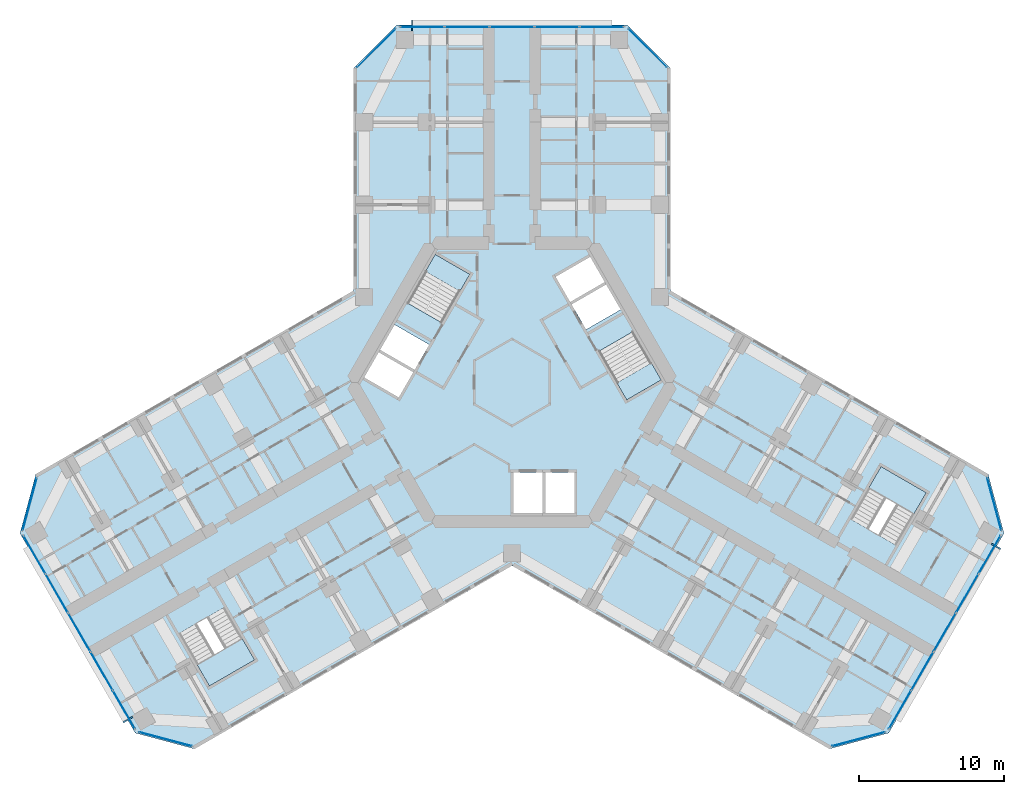
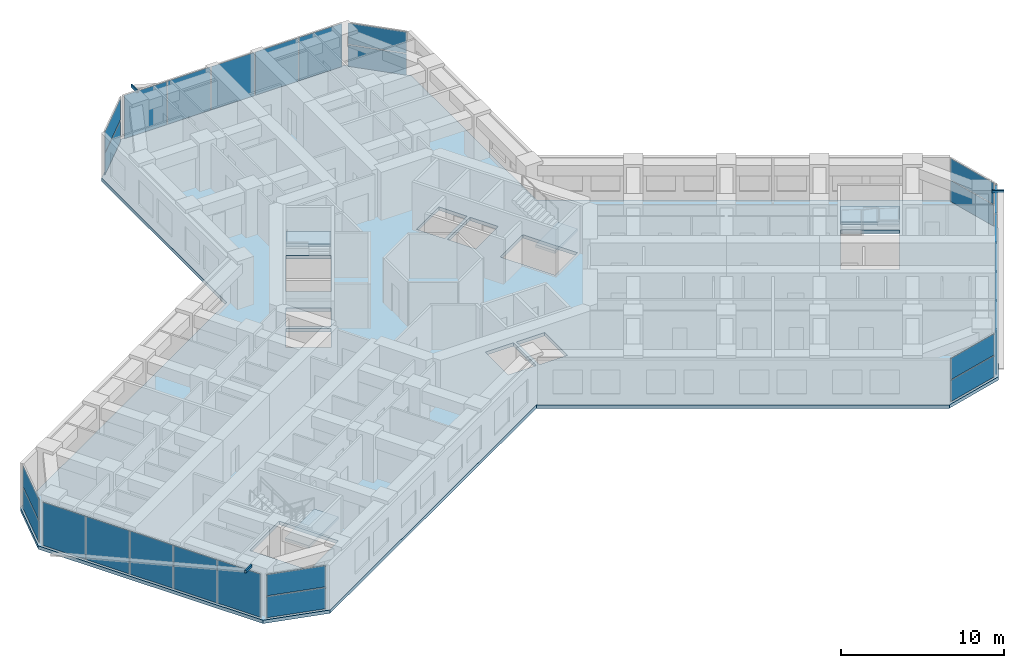
# One storey, part 9 of 20: 27 plates, 5 slabs, 3 members, 13 elements without a shape of their own.
"""IFC4 building model written with IfcOpenShell, lengths in metres."""

from ifc_helpers import new_model, si_unit, direction, frame, origin, origin_2d, place, context, subcontext, project, spatial, polyline, rectangle, hollow_rectangle, outline, extrude, material, layer, layer_set, material_profile, profile_set, type_object, element, aggregate, save


model = new_model("IFC4")

# Units and contexts
model_context = context("Model", 3, precision=1e-05, world=origin(), true_north=direction((0.0, 1.0)))
body_context = subcontext(model_context, "Body", "Model", "MODEL_VIEW")
ifc_project = project(units=[si_unit("LENGTHUNIT", "METRE"), si_unit("AREAUNIT", "SQUARE_METRE"), si_unit("VOLUMEUNIT", "CUBIC_METRE"), si_unit("PLANEANGLEUNIT", "RADIAN"), si_unit("MASSUNIT", "GRAM", prefix="KILO")], contexts=[model_context])

# Site, building, storey
site_placement = place(None, origin())
site = spatial("IfcSite", under=ifc_project, at=site_placement, CompositionType="ELEMENT")
building_placement = place(site_placement, origin())
building = spatial("IfcBuilding", under=site, at=building_placement, Name="Kosmar Iwan School Tower", CompositionType="ELEMENT")
storey_placement = place(building_placement, frame((0.0, 0.0, 123.800048828125)))
storey = spatial("IfcBuildingStorey", under=building, at=storey_placement, Name="L30", CompositionType="ELEMENT", Elevation=123.800048828125)

# Members
ifc_material_1 = material(Name="Steel S355", Category="steel")
ifc_material_profile = material_profile(ifc_material_1, hollow_rectangle(XDim=0.10009765625, YDim=0.199951171875, WallThickness=0.008056640625, at=origin_2d()), Name="RHS 200x100x8")
ifc_profile_set = profile_set([ifc_material_profile], Name="Steel S355")
member_type = type_object("IfcMemberType", Name="Fin bracket RHS 200x100", PredefinedType="USERDEFINED", material=ifc_profile_set)
for number, where, z_axis, x_axis, name in (
    (1, (33.067138671875, -11.1259765625, 3.474853515625), (0.866071776036, -0.499919672301, 0.0), (0.499919672301, 0.866071776036, 0.0), "Fin bracket L31"),
    (2, (-6.898193359375, 24.25, 3.474853515625), (0.0, 1.0, 0.0), (-1.0, 0.0, 0.0), "Fin bracket L31"),
    (3, (-26.1689453125, -23.073974609375, 3.474853515625), (-0.86599040064, -0.500060622324, 0.0), (0.500060622324, -0.86599040064, 0.0), "Fin bracket L31"),
):
    element("IfcMember", number, at=place(storey_placement, frame(where, z_axis=z_axis, x_axis=x_axis)), inside=storey, type_object=member_type, Name=name, ObjectType="FIN BRACKET", PredefinedType="USERDEFINED", context=body_context, shape_type="SweptSolid", body=[
        extrude(hollow_rectangle(XDim=0.10009765625, YDim=0.199951171875, WallThickness=0.008056640625, at=origin_2d()), origin(), (0.0, 0.0, 1.0), 0.75),
    ])

# Curtain wall, plates
ifc_material_2 = material(Name="Dark glass in black aluminium frame", Category="aluminium")
curtain_wall_type_1 = type_object("IfcCurtainWallType", Name="Chamfer curtain wall dark glass", PredefinedType="USERDEFINED", material=ifc_material_2)
curtain_wall_1_placement = place(storey_placement, origin())
curtain_wall_1 = element("IfcCurtainWall", 4, at=curtain_wall_1_placement, inside=storey, type_object=curtain_wall_type_1, Name="Curtain wall L30-F02", ObjectType="FACETED CURTAIN WALL", PredefinedType="USERDEFINED")
ifc_material_3 = material(Name="Dark glass", Category="glass")
ifc_layer_1 = layer(ifc_material_3, 0.028076171875)
ifc_layer_set_1 = layer_set([ifc_layer_1], Name="Dark glass panel 28")
plate_type = type_object("IfcPlateType", Name="Dark glass panel 28", PredefinedType="CURTAIN_PANEL", material=ifc_layer_set_1)
plate_1_placement = place(storey_placement, frame((23.908203125, -24.61328125, 0.06005859375), z_axis=(0.0, 0.0, 1.0), x_axis=(0.965925875495, 0.258818861462, 0.0)))
plate_1 = element("IfcPlate", 5, at=plate_1_placement, type_object=plate_type, Name="CW2 panel 1.1", PredefinedType="CURTAIN_PANEL", context=body_context, shape_type="SweptSolid", body=[
    extrude(rectangle(XDim=3.718994140625, YDim=0.028076171875, at=origin_2d()), origin(), (0.0, 0.0, 1.0), 1.5849609375),
])
plate_2_placement = place(storey_placement, frame((23.908203125, -24.61328125, 1.705078125), z_axis=(0.0, 0.0, 1.0), x_axis=(0.965925875495, 0.258818861462, 0.0)))
plate_2 = element("IfcPlate", 6, at=plate_2_placement, type_object=plate_type, Name="CW2 panel 1.2", PredefinedType="CURTAIN_PANEL", context=body_context, shape_type="SweptSolid", body=[
    extrude(rectangle(XDim=3.718994140625, YDim=0.028076171875, at=origin_2d()), origin(), (0.0, 0.0, 1.0), 1.5849609375),
])
aggregate(curtain_wall_1, [plate_1, plate_2])

ifc_material_4 = material(Name="Dark glass in black aluminium frame", Category="aluminium")
curtain_wall_type_2 = type_object("IfcCurtainWallType", Name="Tower curtain wall dark glass", PredefinedType="USERDEFINED", material=ifc_material_4)
curtain_wall_2_placement = place(storey_placement, origin())
curtain_wall_2 = element("IfcCurtainWall", 7, at=curtain_wall_2_placement, inside=storey, type_object=curtain_wall_type_2, Name="Curtain wall L30-F03", ObjectType="UNITISED CURTAIN WALL", PredefinedType="USERDEFINED")
plate_3_placement = place(storey_placement, frame((26.764404296875, -22.592529296875, 0.06005859375), z_axis=(0.0, 0.0, 1.0), x_axis=(0.499999997325, 0.866025405329, 0.0)))
plate_3 = element("IfcPlate", 8, at=plate_3_placement, type_object=plate_type, Name="CW1 panel 1.1", PredefinedType="CURTAIN_PANEL", context=body_context, shape_type="SweptSolid", body=[
    extrude(rectangle(XDim=3.00927734375, YDim=0.028076171875, at=origin_2d()), origin(), (0.0, 0.0, 1.0), 3.22998046875),
])
plate_4_placement = place(storey_placement, frame((28.306640625, -19.921630859375, 0.06005859375), z_axis=(0.0, 0.0, 1.0), x_axis=(0.499999997325, 0.866025405329, 0.0)))
plate_4 = element("IfcPlate", 9, at=plate_4_placement, type_object=plate_type, Name="CW1 panel 2.1", PredefinedType="CURTAIN_PANEL", context=body_context, shape_type="SweptSolid", body=[
    extrude(rectangle(XDim=3.039306640625, YDim=0.028076171875, at=origin_2d()), origin(), (0.0, 0.0, 1.0), 3.22998046875),
])
plate_5_placement = place(storey_placement, frame((29.856201171875, -17.237548828125, 0.06005859375), z_axis=(0.0, 0.0, 1.0), x_axis=(0.499999997325, 0.866025405329, 0.0)))
plate_5 = element("IfcPlate", 10, at=plate_5_placement, type_object=plate_type, Name="CW1 panel 3.1", PredefinedType="CURTAIN_PANEL", context=body_context, shape_type="SweptSolid", body=[
    extrude(rectangle(XDim=3.039306640625, YDim=0.028076171875, at=origin_2d()), origin(), (0.0, 0.0, 1.0), 3.22998046875),
])
plate_6_placement = place(storey_placement, frame((31.40576171875, -14.553466796875, 0.06005859375), z_axis=(0.0, 0.0, 1.0), x_axis=(0.499999997325, 0.866025405329, 0.0)))
plate_6 = element("IfcPlate", 11, at=plate_6_placement, type_object=plate_type, Name="CW1 panel 4.1", PredefinedType="CURTAIN_PANEL", context=body_context, shape_type="SweptSolid", body=[
    extrude(rectangle(XDim=3.039306640625, YDim=0.028076171875, at=origin_2d()), origin(), (0.0, 0.0, 1.0), 3.22998046875),
])
plate_7_placement = place(storey_placement, frame((32.947998046875, -11.88232421875, 0.06005859375), z_axis=(0.0, 0.0, 1.0), x_axis=(0.499999997325, 0.866025405329, 0.0)))
plate_7 = element("IfcPlate", 12, at=plate_7_placement, type_object=plate_type, Name="CW1 panel 5.1", PredefinedType="CURTAIN_PANEL", context=body_context, shape_type="SweptSolid", body=[
    extrude(rectangle(XDim=3.00927734375, YDim=0.028076171875, at=origin_2d()), origin(), (0.0, 0.0, 1.0), 3.22998046875),
])
aggregate(curtain_wall_2, [plate_3, plate_4, plate_5, plate_6, plate_7])

curtain_wall_3_placement = place(storey_placement, origin())
curtain_wall_3 = element("IfcCurtainWall", 13, at=curtain_wall_3_placement, inside=storey, type_object=curtain_wall_type_1, Name="Curtain wall L30-F04", ObjectType="FACETED CURTAIN WALL", PredefinedType="USERDEFINED")
plate_8_placement = place(storey_placement, frame((33.269775390625, -8.3984375, 0.06005859375), z_axis=(0.0, 0.0, 1.0), x_axis=(-0.258818861462, 0.965925875495, 0.0)))
plate_8 = element("IfcPlate", 14, at=plate_8_placement, type_object=plate_type, Name="CW2 panel 1.1", PredefinedType="CURTAIN_PANEL", context=body_context, shape_type="SweptSolid", body=[
    extrude(rectangle(XDim=3.718994140625, YDim=0.028076171875, at=origin_2d()), origin(), (0.0, 0.0, 1.0), 1.5849609375),
])
plate_9_placement = place(storey_placement, frame((33.269775390625, -8.3984375, 1.705078125), z_axis=(0.0, 0.0, 1.0), x_axis=(-0.258818861462, 0.965925875495, 0.0)))
plate_9 = element("IfcPlate", 15, at=plate_9_placement, type_object=plate_type, Name="CW2 panel 1.2", PredefinedType="CURTAIN_PANEL", context=body_context, shape_type="SweptSolid", body=[
    extrude(rectangle(XDim=3.718994140625, YDim=0.028076171875, at=origin_2d()), origin(), (0.0, 0.0, 1.0), 1.5849609375),
])
aggregate(curtain_wall_3, [plate_8, plate_9])

curtain_wall_4_placement = place(storey_placement, origin())
curtain_wall_4 = element("IfcCurtainWall", 16, at=curtain_wall_4_placement, inside=storey, type_object=curtain_wall_type_1, Name="Curtain wall L30-F07", ObjectType="FACETED CURTAIN WALL", PredefinedType="USERDEFINED")
plate_10_placement = place(storey_placement, frame((9.361572265625, 23.0615234375, 0.06005859375), z_axis=(0.0, 0.0, 1.0), x_axis=(-0.707106781187, 0.707106781187, 0.0)))
plate_10 = element("IfcPlate", 17, at=plate_10_placement, type_object=plate_type, Name="CW2 panel 1.1", PredefinedType="CURTAIN_PANEL", context=body_context, shape_type="SweptSolid", body=[
    extrude(rectangle(XDim=3.718994140625, YDim=0.028076171875, at=origin_2d()), origin(), (0.0, 0.0, 1.0), 1.5849609375),
])
plate_11_placement = place(storey_placement, frame((9.361572265625, 23.0615234375, 1.705078125), z_axis=(0.0, 0.0, 1.0), x_axis=(-0.707106781187, 0.707106781187, 0.0)))
plate_11 = element("IfcPlate", 18, at=plate_11_placement, type_object=plate_type, Name="CW2 panel 1.2", PredefinedType="CURTAIN_PANEL", context=body_context, shape_type="SweptSolid", body=[
    extrude(rectangle(XDim=3.718994140625, YDim=0.028076171875, at=origin_2d()), origin(), (0.0, 0.0, 1.0), 1.5849609375),
])
aggregate(curtain_wall_4, [plate_10, plate_11])

curtain_wall_5_placement = place(storey_placement, origin())
curtain_wall_5 = element("IfcCurtainWall", 19, at=curtain_wall_5_placement, inside=storey, type_object=curtain_wall_type_2, Name="Curtain wall L30-F08", ObjectType="UNITISED CURTAIN WALL", PredefinedType="USERDEFINED")
plate_12_placement = place(storey_placement, frame((6.18359375, 24.52490234375, 0.06005859375), z_axis=(0.0, 0.0, 1.0), x_axis=(-1.0, 0.0, 0.0)))
plate_12 = element("IfcPlate", 20, at=plate_12_placement, type_object=plate_type, Name="CW1 panel 1.1", PredefinedType="CURTAIN_PANEL", context=body_context, shape_type="SweptSolid", body=[
    extrude(rectangle(XDim=3.00927734375, YDim=0.028076171875, at=origin_2d()), origin(), (0.0, 0.0, 1.0), 3.22998046875),
])
plate_13_placement = place(storey_placement, frame((3.099365234375, 24.52490234375, 0.06005859375), z_axis=(0.0, 0.0, 1.0), x_axis=(-1.0, 0.0, 0.0)))
plate_13 = element("IfcPlate", 21, at=plate_13_placement, type_object=plate_type, Name="CW1 panel 2.1", PredefinedType="CURTAIN_PANEL", context=body_context, shape_type="SweptSolid", body=[
    extrude(rectangle(XDim=3.039306640625, YDim=0.028076171875, at=origin_2d()), origin(), (0.0, 0.0, 1.0), 3.22998046875),
])
plate_14_placement = place(storey_placement, frame((0.0, 24.52490234375, 0.06005859375), z_axis=(0.0, 0.0, 1.0), x_axis=(-1.0, 0.0, 0.0)))
plate_14 = element("IfcPlate", 22, at=plate_14_placement, type_object=plate_type, Name="CW1 panel 3.1", PredefinedType="CURTAIN_PANEL", context=body_context, shape_type="SweptSolid", body=[
    extrude(rectangle(XDim=3.039306640625, YDim=0.028076171875, at=origin_2d()), origin(), (0.0, 0.0, 1.0), 3.22998046875),
])
plate_15_placement = place(storey_placement, frame((-3.099365234375, 24.52490234375, 0.06005859375), z_axis=(0.0, 0.0, 1.0), x_axis=(-1.0, 0.0, 0.0)))
plate_15 = element("IfcPlate", 23, at=plate_15_placement, type_object=plate_type, Name="CW1 panel 4.1", PredefinedType="CURTAIN_PANEL", context=body_context, shape_type="SweptSolid", body=[
    extrude(rectangle(XDim=3.039306640625, YDim=0.028076171875, at=origin_2d()), origin(), (0.0, 0.0, 1.0), 3.22998046875),
])
plate_16_placement = place(storey_placement, frame((-6.18359375, 24.52490234375, 0.06005859375), z_axis=(0.0, 0.0, 1.0), x_axis=(-1.0, 0.0, 0.0)))
plate_16 = element("IfcPlate", 24, at=plate_16_placement, type_object=plate_type, Name="CW1 panel 5.1", PredefinedType="CURTAIN_PANEL", context=body_context, shape_type="SweptSolid", body=[
    extrude(rectangle(XDim=3.00927734375, YDim=0.028076171875, at=origin_2d()), origin(), (0.0, 0.0, 1.0), 3.22998046875),
])
aggregate(curtain_wall_5, [plate_12, plate_13, plate_14, plate_15, plate_16])

curtain_wall_6_placement = place(storey_placement, origin())
curtain_wall_6 = element("IfcCurtainWall", 25, at=curtain_wall_6_placement, inside=storey, type_object=curtain_wall_type_1, Name="Curtain wall L30-F09", ObjectType="FACETED CURTAIN WALL", PredefinedType="USERDEFINED")
plate_17_placement = place(storey_placement, frame((-9.361572265625, 23.0615234375, 0.06005859375), z_axis=(0.0, 0.0, 1.0), x_axis=(-0.707106781187, -0.707106781187, 0.0)))
plate_17 = element("IfcPlate", 26, at=plate_17_placement, type_object=plate_type, Name="CW2 panel 1.1", PredefinedType="CURTAIN_PANEL", context=body_context, shape_type="SweptSolid", body=[
    extrude(rectangle(XDim=3.718994140625, YDim=0.028076171875, at=origin_2d()), origin(), (0.0, 0.0, 1.0), 1.5849609375),
])
plate_18_placement = place(storey_placement, frame((-9.361572265625, 23.0615234375, 1.705078125), z_axis=(0.0, 0.0, 1.0), x_axis=(-0.707106781187, -0.707106781187, 0.0)))
plate_18 = element("IfcPlate", 27, at=plate_18_placement, type_object=plate_type, Name="CW2 panel 1.2", PredefinedType="CURTAIN_PANEL", context=body_context, shape_type="SweptSolid", body=[
    extrude(rectangle(XDim=3.718994140625, YDim=0.028076171875, at=origin_2d()), origin(), (0.0, 0.0, 1.0), 1.5849609375),
])
aggregate(curtain_wall_6, [plate_17, plate_18])

curtain_wall_7_placement = place(storey_placement, origin())
curtain_wall_7 = element("IfcCurtainWall", 28, at=curtain_wall_7_placement, inside=storey, type_object=curtain_wall_type_1, Name="Curtain wall L30-F12", ObjectType="FACETED CURTAIN WALL", PredefinedType="USERDEFINED")
plate_19_placement = place(storey_placement, frame((-33.269775390625, -8.3984375, 0.06005859375), z_axis=(0.0, 0.0, 1.0), x_axis=(-0.258818861462, -0.965925875495, 0.0)))
plate_19 = element("IfcPlate", 29, at=plate_19_placement, type_object=plate_type, Name="CW2 panel 1.1", PredefinedType="CURTAIN_PANEL", context=body_context, shape_type="SweptSolid", body=[
    extrude(rectangle(XDim=3.718994140625, YDim=0.028076171875, at=origin_2d()), origin(), (0.0, 0.0, 1.0), 1.5849609375),
])
plate_20_placement = place(storey_placement, frame((-33.269775390625, -8.3984375, 1.705078125), z_axis=(0.0, 0.0, 1.0), x_axis=(-0.258818861462, -0.965925875495, 0.0)))
plate_20 = element("IfcPlate", 30, at=plate_20_placement, type_object=plate_type, Name="CW2 panel 1.2", PredefinedType="CURTAIN_PANEL", context=body_context, shape_type="SweptSolid", body=[
    extrude(rectangle(XDim=3.718994140625, YDim=0.028076171875, at=origin_2d()), origin(), (0.0, 0.0, 1.0), 1.5849609375),
])
aggregate(curtain_wall_7, [plate_19, plate_20])

curtain_wall_8_placement = place(storey_placement, origin())
curtain_wall_8 = element("IfcCurtainWall", 31, at=curtain_wall_8_placement, inside=storey, type_object=curtain_wall_type_2, Name="Curtain wall L30-F13", ObjectType="UNITISED CURTAIN WALL", PredefinedType="USERDEFINED")
plate_21_placement = place(storey_placement, frame((-32.947998046875, -11.88232421875, 0.06005859375), z_axis=(0.0, 0.0, 1.0), x_axis=(0.499999997325, -0.866025405329, 0.0)))
plate_21 = element("IfcPlate", 32, at=plate_21_placement, type_object=plate_type, Name="CW1 panel 1.1", PredefinedType="CURTAIN_PANEL", context=body_context, shape_type="SweptSolid", body=[
    extrude(rectangle(XDim=3.00927734375, YDim=0.028076171875, at=origin_2d()), origin(), (0.0, 0.0, 1.0), 3.22998046875),
])
plate_22_placement = place(storey_placement, frame((-31.40576171875, -14.553466796875, 0.06005859375), z_axis=(0.0, 0.0, 1.0), x_axis=(0.499999997325, -0.866025405329, 0.0)))
plate_22 = element("IfcPlate", 33, at=plate_22_placement, type_object=plate_type, Name="CW1 panel 2.1", PredefinedType="CURTAIN_PANEL", context=body_context, shape_type="SweptSolid", body=[
    extrude(rectangle(XDim=3.039306640625, YDim=0.028076171875, at=origin_2d()), origin(), (0.0, 0.0, 1.0), 3.22998046875),
])
plate_23_placement = place(storey_placement, frame((-29.856201171875, -17.237548828125, 0.06005859375), z_axis=(0.0, 0.0, 1.0), x_axis=(0.499999997325, -0.866025405329, 0.0)))
plate_23 = element("IfcPlate", 34, at=plate_23_placement, type_object=plate_type, Name="CW1 panel 3.1", PredefinedType="CURTAIN_PANEL", context=body_context, shape_type="SweptSolid", body=[
    extrude(rectangle(XDim=3.039306640625, YDim=0.028076171875, at=origin_2d()), origin(), (0.0, 0.0, 1.0), 3.22998046875),
])
plate_24_placement = place(storey_placement, frame((-28.306640625, -19.921630859375, 0.06005859375), z_axis=(0.0, 0.0, 1.0), x_axis=(0.499999997325, -0.866025405329, 0.0)))
plate_24 = element("IfcPlate", 35, at=plate_24_placement, type_object=plate_type, Name="CW1 panel 4.1", PredefinedType="CURTAIN_PANEL", context=body_context, shape_type="SweptSolid", body=[
    extrude(rectangle(XDim=3.039306640625, YDim=0.028076171875, at=origin_2d()), origin(), (0.0, 0.0, 1.0), 3.22998046875),
])
plate_25_placement = place(storey_placement, frame((-26.764404296875, -22.592529296875, 0.06005859375), z_axis=(0.0, 0.0, 1.0), x_axis=(0.499999997325, -0.866025405329, 0.0)))
plate_25 = element("IfcPlate", 36, at=plate_25_placement, type_object=plate_type, Name="CW1 panel 5.1", PredefinedType="CURTAIN_PANEL", context=body_context, shape_type="SweptSolid", body=[
    extrude(rectangle(XDim=3.00927734375, YDim=0.028076171875, at=origin_2d()), origin(), (0.0, 0.0, 1.0), 3.22998046875),
])
aggregate(curtain_wall_8, [plate_21, plate_22, plate_23, plate_24, plate_25])

curtain_wall_9_placement = place(storey_placement, origin())
curtain_wall_9 = element("IfcCurtainWall", 37, at=curtain_wall_9_placement, inside=storey, type_object=curtain_wall_type_1, Name="Curtain wall L30-F14", ObjectType="FACETED CURTAIN WALL", PredefinedType="USERDEFINED")
plate_26_placement = place(storey_placement, frame((-23.908203125, -24.61328125, 0.06005859375), z_axis=(0.0, 0.0, 1.0), x_axis=(0.965925875495, -0.258818861462, 0.0)))
plate_26 = element("IfcPlate", 38, at=plate_26_placement, type_object=plate_type, Name="CW2 panel 1.1", PredefinedType="CURTAIN_PANEL", context=body_context, shape_type="SweptSolid", body=[
    extrude(rectangle(XDim=3.718994140625, YDim=0.028076171875, at=origin_2d()), origin(), (0.0, 0.0, 1.0), 1.5849609375),
])
plate_27_placement = place(storey_placement, frame((-23.908203125, -24.61328125, 1.705078125), z_axis=(0.0, 0.0, 1.0), x_axis=(0.965925875495, -0.258818861462, 0.0)))
plate_27 = element("IfcPlate", 39, at=plate_27_placement, type_object=plate_type, Name="CW2 panel 1.2", PredefinedType="CURTAIN_PANEL", context=body_context, shape_type="SweptSolid", body=[
    extrude(rectangle(XDim=3.718994140625, YDim=0.028076171875, at=origin_2d()), origin(), (0.0, 0.0, 1.0), 1.5849609375),
])
aggregate(curtain_wall_9, [plate_26, plate_27])

# Stair, slab
ifc_material_5 = material(Name="Concrete C35/45", Category="concrete")
stair_type_1 = type_object("IfcStairType", Name="Escape stair 3600", PredefinedType="HALF_TURN_STAIR", material=ifc_material_5)
stair_1_placement = place(storey_placement, origin())
stair_1 = element("IfcStair", 40, at=stair_1_placement, inside=storey, type_object=stair_type_1, Name="Stair WS2 L30", PredefinedType="HALF_TURN_STAIR")
ifc_material_6 = material(Name="Concrete C35/45", Category="concrete")
ifc_layer_2 = layer(ifc_material_6, 0.199951171875)
ifc_layer_set_2 = layer_set([ifc_layer_2], Name="Escape stair landing 200")
slab_type_1 = type_object("IfcSlabType", Name="Escape stair landing 200", PredefinedType="LANDING", material=ifc_layer_set_2)
slab_1_placement = place(storey_placement, frame((0.0, 0.0, 1.599853515625)))
slab_1 = element("IfcSlab", 41, at=slab_1_placement, type_object=slab_type_1, Name="WS2 landing 1", PredefinedType="LANDING", context=body_context, shape_type="SweptSolid", body=[
    extrude(outline(polyline([(-18.607421875, -17.671142578125), (-21.72509765625, -19.47119140625), (-20.875, -20.943359375), (-17.75732421875, -19.143310546875), (-18.607421875, -17.671142578125)])), origin(), (0.0, 0.0, 1.0), 0.2001953125),
])
aggregate(stair_1, [slab_1])

stair_2_placement = place(storey_placement, origin())
stair_2 = element("IfcStair", 42, at=stair_2_placement, inside=storey, type_object=stair_type_1, Name="Stair WS3 L30", PredefinedType="HALF_TURN_STAIR")
slab_2_placement = place(storey_placement, frame((0.0, 0.0, 1.599853515625)))
slab_2 = element("IfcSlab", 43, at=slab_2_placement, type_object=slab_type_1, Name="WS3 landing 1", PredefinedType="LANDING", context=body_context, shape_type="SweptSolid", body=[
    extrude(outline(polyline([(24.607421875, -7.27880859375), (27.72509765625, -9.078857421875), (28.574951171875, -7.606689453125), (25.457275390625, -5.806640625), (24.607421875, -7.27880859375)])), origin(), (0.0, 0.0, 1.0), 0.2001953125),
])
aggregate(stair_2, [slab_2])

# Slab
ifc_material_7 = material(Name="Concrete C35/45", Category="concrete")
ifc_layer_3 = layer(ifc_material_7, 0.25)
ifc_layer_set_3 = layer_set([ifc_layer_3], Name="Floor slab 250")
slab_type_2 = type_object("IfcSlabType", Name="Floor slab 250", PredefinedType="FLOOR", material=ifc_layer_set_3)
slab_3_placement = place(storey_placement, frame((0.0, 0.0, -0.25)))
element("IfcSlab", 44, at=slab_3_placement, inside=storey, type_object=slab_type_2, Name="L30 floor slab", PredefinedType="FLOOR", context=body_context, shape_type="SweptSolid", body=[
    extrude(outline(polyline([(-21.891357421875, -25.282958984375), (0.0, -12.64404296875), (21.891357421875, -25.282958984375), (25.989501953125, -24.184814453125), (33.939453125, -10.4150390625), (32.84130859375, -6.317138671875), (10.949951171875, 6.322021484375), (10.949951171875, 21.64990234375), (7.949951171875, 24.64990234375), (-7.949951171875, 24.64990234375), (-10.949951171875, 21.64990234375), (-10.949951171875, 6.322021484375), (-32.84130859375, -6.317138671875), (-33.939453125, -10.4150390625), (-25.989501953125, -24.184814453125), (-21.891357421875, -25.282958984375)]), holes=[polyline([(7.91259765625, -1.205078125), (10.294189453125, 0.169921875), (8.3642578125, 3.5126953125), (5.982666015625, 2.1376953125), (7.91259765625, -1.205078125)]), polyline([(-2.91259765625, 7.455078125), (-5.294189453125, 8.830078125), (-7.22412109375, 5.4873046875), (-4.8427734375, 4.1123046875), (-2.91259765625, 7.455078125)]), polyline([(-5.712646484375, 2.60546875), (-8.09423828125, 3.98046875), (-9.09423828125, 2.248291015625), (-6.712646484375, 0.873291015625), (-5.712646484375, 2.60546875)]), polyline([(-6.812744140625, 0.7001953125), (-9.1943359375, 2.0751953125), (-10.1943359375, 0.343017578125), (-7.812744140625, -1.031982421875), (-6.812744140625, 0.7001953125)]), polyline([(5.112548828125, 3.64453125), (7.494140625, 5.01953125), (6.494140625, 6.751708984375), (4.112548828125, 5.376708984375), (5.112548828125, 3.64453125)]), polyline([(4.0126953125, 5.5498046875), (6.394287109375, 6.9248046875), (5.394287109375, 8.656982421875), (3.0126953125, 7.281982421875), (4.0126953125, 5.5498046875)]), polyline([(0.10009765625, -6.199951171875), (0.10009765625, -9.0), (2.10009765625, -9.0), (2.10009765625, -6.199951171875), (0.10009765625, -6.199951171875)]), polyline([(2.300048828125, -6.199951171875), (2.300048828125, -9.0), (4.300048828125, -9.0), (4.300048828125, -6.199951171875), (2.300048828125, -6.199951171875)]), polyline([(-19.847412109375, -15.5234375), (-22.965087890625, -17.323486328125), (-20.875, -20.943359375), (-17.75732421875, -19.143310546875), (-19.847412109375, -15.5234375)]), polyline([(23.367431640625, -9.426513671875), (26.485107421875, -11.2265625), (28.574951171875, -7.606689453125), (25.457275390625, -5.806640625), (23.367431640625, -9.426513671875)])]), origin(), (0.0, 0.0, 1.0), 0.25),
])

# Stair, slab
ifc_material_8 = material(Name="Concrete C35/45", Category="concrete")
stair_type_2 = type_object("IfcStairType", Name="Core stair 2750", PredefinedType="HALF_TURN_STAIR", material=ifc_material_8)
stair_3_placement = place(storey_placement, origin())
stair_3 = element("IfcStair", 45, at=stair_3_placement, inside=storey, type_object=stair_type_2, Name="Stair ST2 L30", PredefinedType="HALF_TURN_STAIR")
ifc_material_9 = material(Name="Concrete C35/45", Category="concrete")
ifc_layer_4 = layer(ifc_material_9, 0.199951171875)
ifc_layer_set_4 = layer_set([ifc_layer_4], Name="Stair landing 200")
slab_type_3 = type_object("IfcSlabType", Name="Stair landing 200", PredefinedType="LANDING", material=ifc_layer_set_4)
slab_4_placement = place(storey_placement, frame((0.0, 0.0, 1.599853515625)))
slab_4 = element("IfcSlab", 46, at=slab_4_placement, type_object=slab_type_3, Name="ST2 landing 1", PredefinedType="LANDING", context=body_context, shape_type="SweptSolid", body=[
    extrude(outline(polyline([(-2.91259765625, 7.455078125), (-5.294189453125, 8.830078125), (-5.97412109375, 7.65234375), (-3.5927734375, 6.27734375), (-2.91259765625, 7.455078125)])), origin(), (0.0, 0.0, 1.0), 0.2001953125),
])
aggregate(stair_3, [slab_4])

stair_4_placement = place(storey_placement, origin())
stair_4 = element("IfcStair", 47, at=stair_4_placement, inside=storey, type_object=stair_type_2, Name="Stair ST1 L30", PredefinedType="HALF_TURN_STAIR")
slab_5_placement = place(storey_placement, frame((0.0, 0.0, 1.599853515625)))
slab_5 = element("IfcSlab", 48, at=slab_5_placement, type_object=slab_type_3, Name="ST1 landing 1", PredefinedType="LANDING", context=body_context, shape_type="SweptSolid", body=[
    extrude(outline(polyline([(7.91259765625, -1.205078125), (10.294189453125, 0.169921875), (9.6142578125, 1.34765625), (7.232666015625, -0.02734375), (7.91259765625, -1.205078125)])), origin(), (0.0, 0.0, 1.0), 0.2001953125),
])
aggregate(stair_4, [slab_5])

save(model, "model.ifc")
